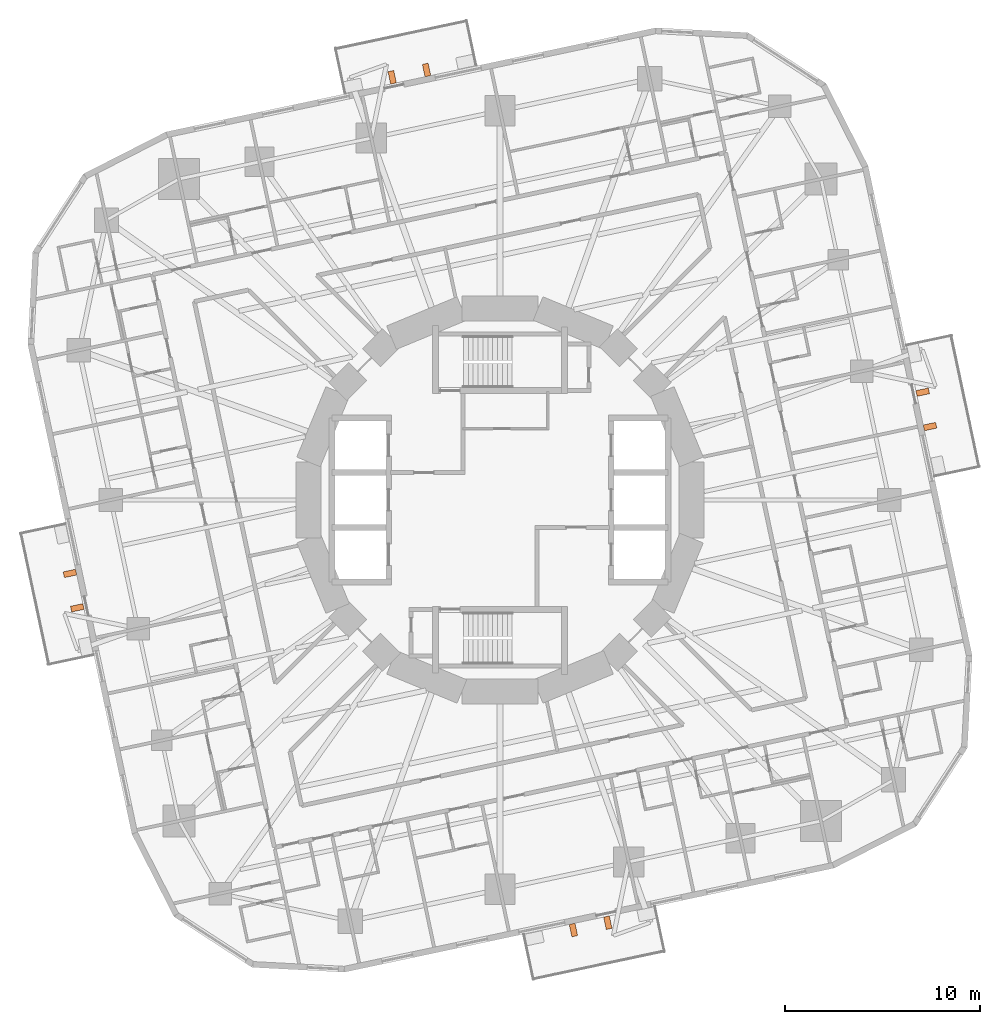
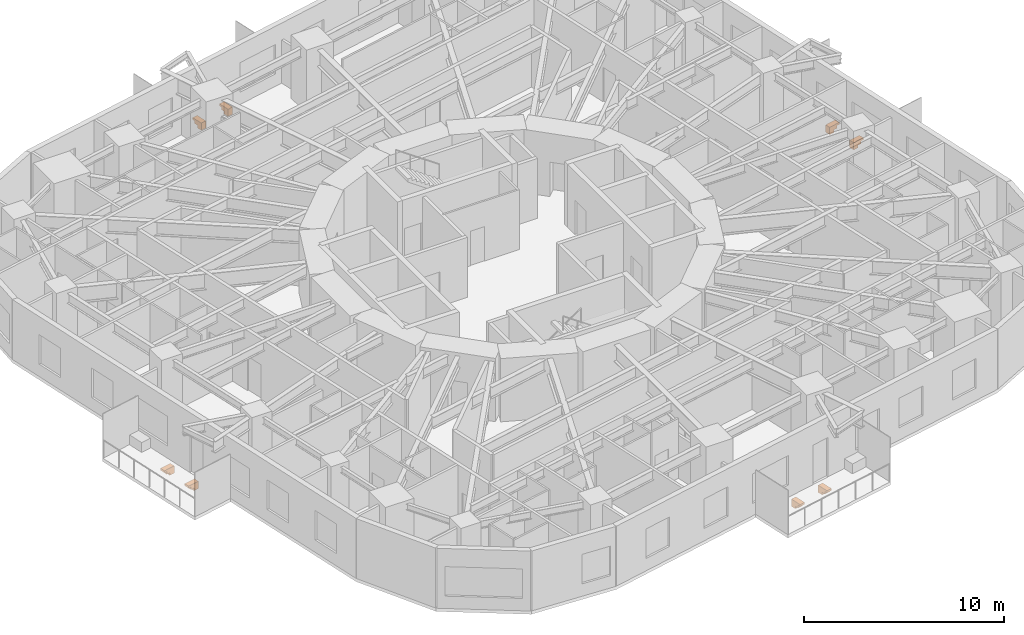
# One storey, part 14 of 14: 8 proxies.
"""IFC4 building model written with IfcOpenShell, lengths in metres."""

from ifc_helpers import new_model, si_unit, direction, frame, origin, place, context, subcontext, project, spatial, polyline, outline, extrude, material, type_object, element, save


model = new_model("IFC4")

# Units and contexts
model_context = context("Model", 3, precision=1e-05, world=origin(), true_north=direction((0.0, 1.0)))
body_context = subcontext(model_context, "Body", "Model", "MODEL_VIEW")
ifc_project = project(units=[si_unit("LENGTHUNIT", "METRE"), si_unit("AREAUNIT", "SQUARE_METRE"), si_unit("VOLUMEUNIT", "CUBIC_METRE"), si_unit("PLANEANGLEUNIT", "RADIAN"), si_unit("MASSUNIT", "GRAM", prefix="KILO")], contexts=[model_context])

# Site, building, storey
site_placement = place(None, origin())
site = spatial("IfcSite", under=ifc_project, at=site_placement, CompositionType="ELEMENT")
building_placement = place(site_placement, origin())
building = spatial("IfcBuilding", under=site, at=building_placement, Name="Nakasero Lantern House", CompositionType="ELEMENT")
storey_placement = place(building_placement, frame((0.0, 0.0, 116.550048828125)))
storey = spatial("IfcBuildingStorey", under=building, at=storey_placement, Name="L28", CompositionType="ELEMENT", Elevation=116.550048828125)

# Proxies
ifc_material = material(Name="Concrete C40/50 precast", Category="concrete")
building_element_proxy_type = type_object("IfcBuildingElementProxyType", Name="Balcony bracket 300", PredefinedType="USERDEFINED", material=ifc_material)
for number, where, z_axis, x_axis, name in (
    (1, (21.706298828125, 3.693603515625, -0.199951171875), (0.0, 0.0, 1.0), (0.978147601, 0.207911691, 0.0), "Balcony bracket L28 0A"),
    (2, (21.33203125, 5.454345703125, -0.199951171875), (0.0, 0.0, 1.0), (0.978147601, 0.207911691, 0.0), "Balcony bracket L28 0B"),
    (3, (-3.693603515625, 21.706298828125, -0.199951171875), (0.0, 0.0, 1.0), (-0.207911691, 0.978147601, 0.0), "Balcony bracket L28 1A"),
    (4, (-5.454345703125, 21.33203125, -0.199951171875), (0.0, 0.0, 1.0), (-0.207911691, 0.978147601, 0.0), "Balcony bracket L28 1B"),
    (5, (-21.706298828125, -3.693603515625, -0.199951171875), (0.0, 0.0, 1.0), (-0.978147601, -0.207911691, 0.0), "Balcony bracket L28 2A"),
    (6, (-21.33203125, -5.454345703125, -0.199951171875), (0.0, 0.0, 1.0), (-0.978147601, -0.207911691, 0.0), "Balcony bracket L28 2B"),
    (7, (3.693603515625, -21.706298828125, -0.199951171875), (0.0, 0.0, 1.0), (0.207911691, -0.978147601, 0.0), "Balcony bracket L28 3A"),
    (8, (5.454345703125, -21.33203125, -0.199951171875), (0.0, 0.0, 1.0), (0.207911691, -0.978147601, 0.0), "Balcony bracket L28 3B"),
):
    element("IfcBuildingElementProxy", number, at=place(storey_placement, frame(where, z_axis=z_axis, x_axis=x_axis)), inside=storey, type_object=building_element_proxy_type, Name=name, ObjectType="BALCONY BRACKET", PredefinedType="USERDEFINED", context=body_context, shape_type="SweptSolid", body=[
        extrude(outline(polyline([(0.0, 0.0), (0.64990234375, 0.0), (0.64990234375, -0.1201171875), (0.5, -0.1201171875), (0.5, -0.280029296875), (0.300048828125, -0.280029296875), (0.300048828125, -0.43994140625), (0.0, -0.43994140625), (0.0, 0.0)])), frame((0.0, 0.14990234375, 0.0), z_axis=(0.0, -1.0, 0.0), x_axis=(1.0, 0.0, 0.0)), (0.0, 0.0, 1.0), 0.300048828125),
    ])

save(model, "model.ifc")
